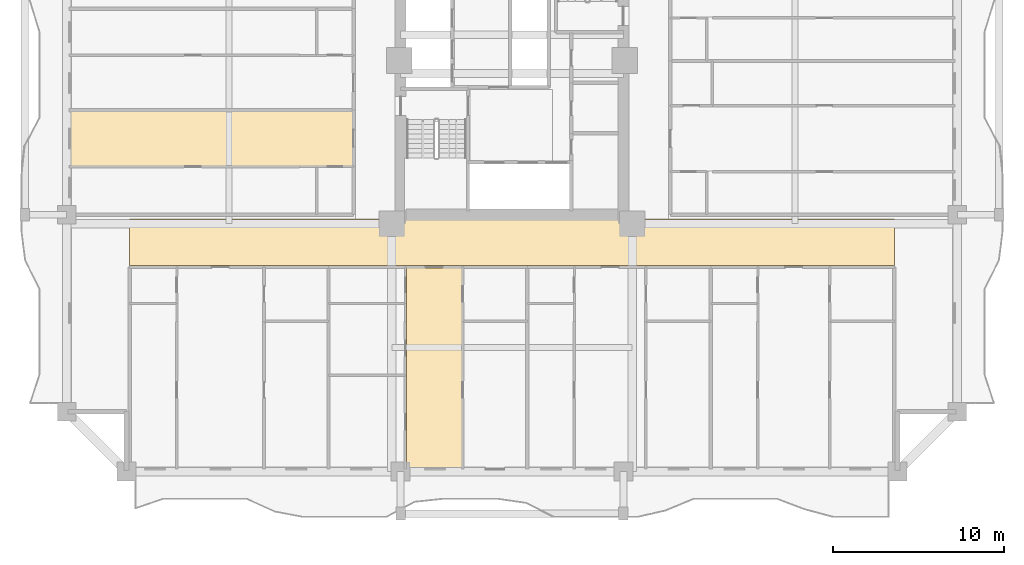
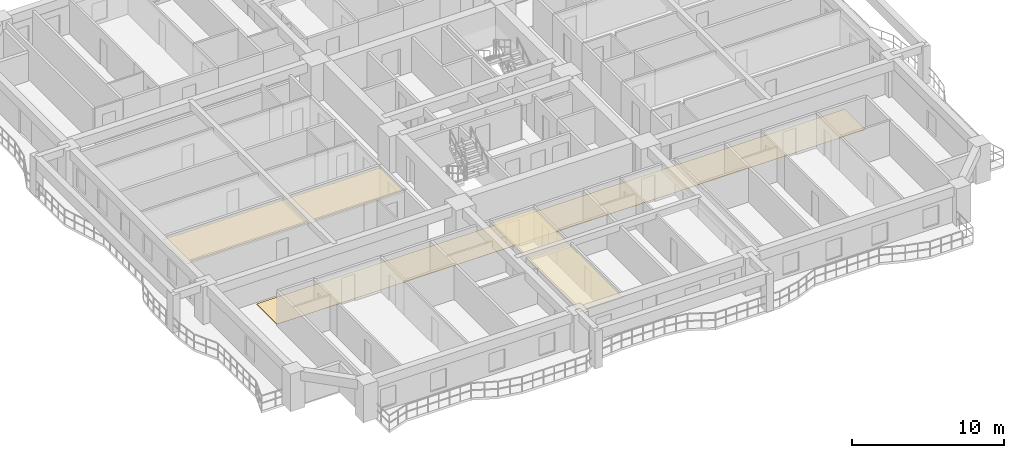
# One storey, part 12 of 16: 3 coverings.
"""IFC4 building model written with IfcOpenShell, lengths in metres."""

from ifc_helpers import new_model, si_unit, direction, frame, origin, place, context, subcontext, project, spatial, polyline, outline, extrude, material, layer, layer_set, type_object, element, save


model = new_model("IFC4")

# Units and contexts
model_context = context("Model", 3, precision=1e-05, world=origin(), true_north=direction((0.0, 1.0)))
body_context = subcontext(model_context, "Body", "Model", "MODEL_VIEW")
ifc_project = project(units=[si_unit("LENGTHUNIT", "METRE"), si_unit("AREAUNIT", "SQUARE_METRE"), si_unit("VOLUMEUNIT", "CUBIC_METRE"), si_unit("PLANEANGLEUNIT", "RADIAN"), si_unit("MASSUNIT", "GRAM", prefix="KILO")], contexts=[model_context])

# Site, building, storey
site_placement = place(None, origin())
site = spatial("IfcSite", under=ifc_project, at=site_placement, CompositionType="ELEMENT")
building_placement = place(site_placement, origin())
building = spatial("IfcBuilding", under=site, at=building_placement, Name="Saelheon Loggia Tower", CompositionType="ELEMENT")
storey_placement = place(building_placement, frame((0.0, 0.0, 28.39990234375)))
storey = spatial("IfcBuildingStorey", under=building, at=storey_placement, Name="L08", CompositionType="ELEMENT", Elevation=28.39990234375)

# Coverings
ifc_material_1 = material(Name="Mineral-Fibre Acoustic Ceiling Board", Category="gypsum")
ifc_layer_1 = layer(ifc_material_1, 0.02490234375)
ifc_layer_set_1 = layer_set([ifc_layer_1], Name="Mineral-Fibre Acoustic Ceiling Board")
covering_type_1 = type_object("IfcCoveringType", Name="Cov_Ceiling_Acoustic", PredefinedType="CEILING", material=ifc_layer_set_1)
covering_1_placement = place(storey_placement, frame((0.0, 0.0, 2.53515625)))
element("IfcCovering", 1, at=covering_1_placement, inside=storey, type_object=covering_type_1, Name="L08 Acoustic Suspended Ceiling", PredefinedType="CEILING", context=body_context, shape_type="SweptSolid", body=[
    extrude(outline(polyline([(31.830078125, 3.199951171875), (35.076904296875, 3.199951171875), (35.076904296875, 14.89990234375), (31.830078125, 14.89990234375), (31.830078125, 3.199951171875)])), origin(), (0.0, 0.0, 1.0), 0.02490234375),
])
covering_2_placement = place(storey_placement, frame((0.0, 0.0, 2.53515625)))
element("IfcCovering", 2, at=covering_2_placement, inside=storey, type_object=covering_type_1, Name="L08 Acoustic Suspended Ceiling", PredefinedType="CEILING", context=body_context, shape_type="SweptSolid", body=[
    extrude(outline(polyline([(12.199951171875, 20.857421875), (28.699951171875, 20.857421875), (28.699951171875, 24.052978515625), (12.199951171875, 24.052978515625), (12.199951171875, 20.857421875)])), origin(), (0.0, 0.0, 1.0), 0.02490234375),
])
ifc_material_2 = material(Name="Vitrified Porcelain Floor Tile", Category="ceramic")
ifc_layer_2 = layer(ifc_material_2, 0.02001953125)
ifc_layer_set_2 = layer_set([ifc_layer_2], Name="Vitrified Porcelain Floor Tile")
covering_type_2 = type_object("IfcCoveringType", Name="Cov_Floor_Porcelain", PredefinedType="FLOORING", material=ifc_layer_set_2)
covering_3_placement = place(storey_placement, origin())
element("IfcCovering", 3, at=covering_3_placement, inside=storey, type_object=covering_type_2, Name="L08 Corridor Porcelain Flooring", PredefinedType="FLOORING", context=body_context, shape_type="SweptSolid", body=[
    extrude(outline(polyline([(15.679931640625, 15.050048828125), (60.320068359375, 15.050048828125), (60.320068359375, 17.75), (15.679931640625, 17.75), (15.679931640625, 15.050048828125)])), origin(), (0.0, 0.0, 1.0), 0.02001953125),
])

save(model, "model.ifc")
